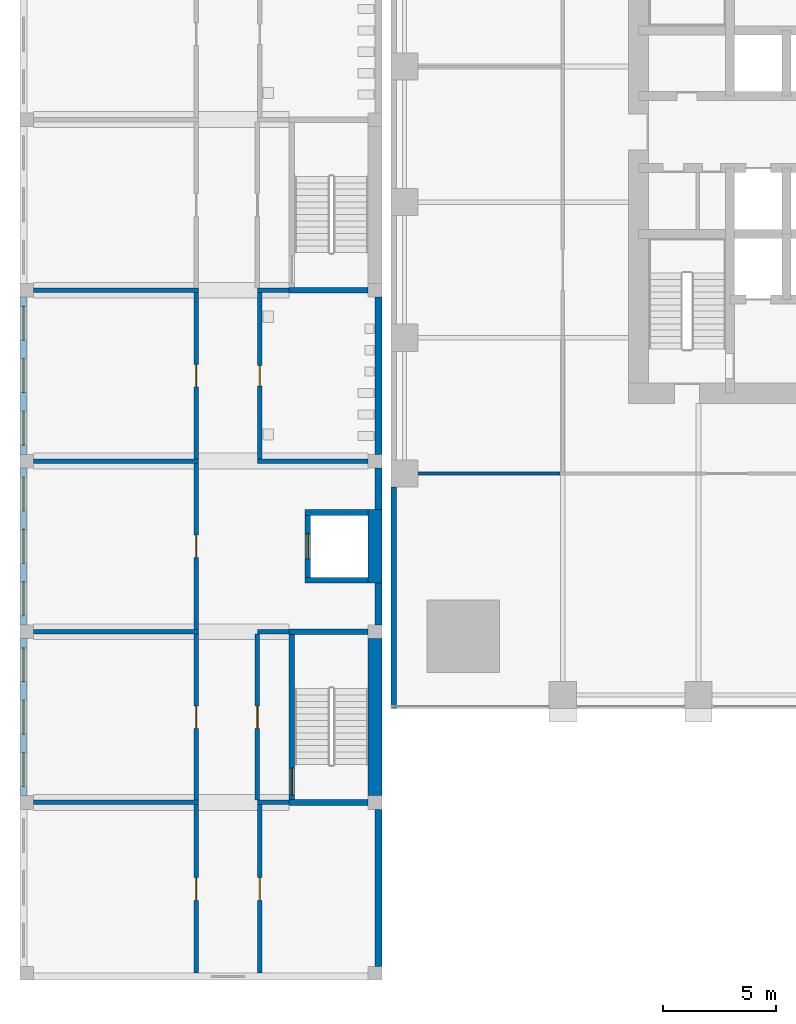
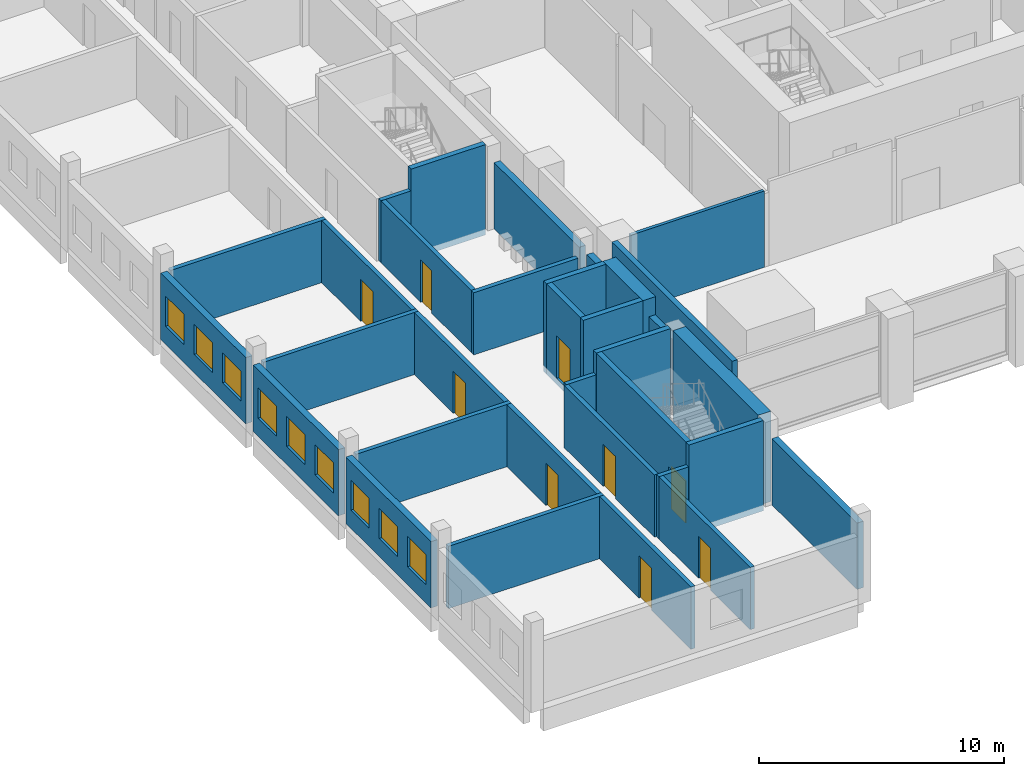
# One storey, part 10 of 25: 33 walls, 9 doors, 9 windows, 18 openings.
"""IFC4 building model written with IfcOpenShell, lengths in metres."""

from ifc_helpers import new_model, si_unit, direction, frame, frame_2d, origin, place, context, subcontext, project, spatial, rectangle, extrude, material, layer, layer_set, type_object, element, fill, save


model = new_model("IFC4")

# Units and contexts
model_context = context("Model", 3, precision=1e-05, world=origin(), true_north=direction((0.0, 1.0)))
body_context = subcontext(model_context, "Body", "Model", "MODEL_VIEW")
ifc_project = project(units=[si_unit("LENGTHUNIT", "METRE"), si_unit("AREAUNIT", "SQUARE_METRE"), si_unit("VOLUMEUNIT", "CUBIC_METRE"), si_unit("PLANEANGLEUNIT", "RADIAN"), si_unit("MASSUNIT", "GRAM", prefix="KILO")], contexts=[model_context])

# Site, building, storey
site_placement = place(None, origin())
site = spatial("IfcSite", under=ifc_project, at=site_placement, CompositionType="ELEMENT")
building_placement = place(site_placement, origin())
building = spatial("IfcBuilding", under=site, at=building_placement, Name="Amberfall Residences", CompositionType="ELEMENT")
storey_placement = place(building_placement, frame((0.0, 0.0, 10.0)))
storey = spatial("IfcBuildingStorey", under=building, at=storey_placement, Name="L02", CompositionType="ELEMENT", Elevation=10.0)

# Walls
ifc_material_1 = material(Name="Fire-rated gypsum board on steel studs", Category="steel")
ifc_layer_1 = layer(ifc_material_1, 0.14990234375)
ifc_layer_set_1 = layer_set([ifc_layer_1], Name="Partition 150 fire-rated")
wall_type_1 = type_object("IfcWallType", Name="Partition 150 fire-rated", PredefinedType="PARTITIONING", material=ifc_layer_set_1)
wall_1_placement = place(storey_placement, frame((53.199951171875, 30.39990234375, 0.0), z_axis=(0.0, 0.0, 1.0), x_axis=(1.0, 0.0, 0.0)))
element("IfcWall", 1, at=wall_1_placement, inside=storey, type_object=wall_type_1, Name="Partition 150 fire-rated L02 001", PredefinedType="PARTITIONING", context=body_context, shape_type="SweptSolid", body=[
    extrude(rectangle(XDim=6.280029296875, YDim=0.14990234375, at=frame_2d((3.14013671875, 0.0))), origin(), (0.0, 0.0, 1.0), 3.797119140625),
])
ifc_material_2 = material(Name="Precast concrete C40", Category="concrete")
ifc_layer_2 = layer(ifc_material_2, 0.25)
ifc_layer_set_2 = layer_set([ifc_layer_2], Name="Podium external wall 250")
wall_type_2 = type_object("IfcWallType", Name="Podium external wall 250", PredefinedType="SOLIDWALL", material=ifc_layer_set_2)
wall_2_placement = place(storey_placement, frame((52.125, 20.0, 0.0), z_axis=(0.0, 0.0, 1.0), x_axis=(0.0, 1.0, 0.0)))
element("IfcWall", 2, at=wall_2_placement, inside=storey, type_object=wall_type_2, Name="Podium external wall W1", PredefinedType="SOLIDWALL", context=body_context, shape_type="SweptSolid", body=[
    extrude(rectangle(XDim=9.800048828125, YDim=0.25, at=frame_2d((4.89990234375, 0.0))), origin(), (0.0, 0.0, 1.0), 4.199951171875),
])

# Wall, openings, windows
ifc_material_3 = material(Name="Aerated block wall")
ifc_layer_3 = layer(ifc_material_3, 0.300048828125)
ifc_layer_set_3 = layer_set([ifc_layer_3], Name="School external wall 300")
wall_type_3 = type_object("IfcWallType", Name="School external wall 300", PredefinedType="SOLIDWALL", material=ifc_layer_set_3)
wall_3_placement = place(storey_placement, frame((35.75, 16.14990234375, 0.0), z_axis=(0.0, 0.0, 1.0), x_axis=(0.0, 1.0, 0.0)))
wall_3 = element("IfcWall", 3, at=wall_3_placement, inside=storey, type_object=wall_type_3, Name="School external wall L02 EW1", PredefinedType="SOLIDWALL", context=body_context, shape_type="SweptSolid", body=[
    extrude(rectangle(XDim=6.9501953125, YDim=0.300048828125, at=frame_2d((3.47509765625, 0.0))), origin(), (0.0, 0.0, 1.0), 3.300048828125),
])
opening_1_placement = place(wall_3_placement, frame((0.408203125, 0.0, 0.89990234375)))
opening_1 = element("IfcOpeningElement", 4, at=opening_1_placement, cuts=wall_3, Name="Opening SWN1", PredefinedType="OPENING", context=body_context, shape_type="SweptSolid", body=[
    extrude(rectangle(XDim=1.5, YDim=1.5, at=frame_2d((0.75, 0.75))), frame((0.0, 0.159912109375, 0.0), z_axis=(0.0, -1.0, 0.0), x_axis=(1.0, 0.0, 0.0)), (0.0, 0.0, 1.0), 0.320068359375),
])
opening_2_placement = place(wall_3_placement, frame((2.72509765625, 0.0, 0.89990234375)))
opening_2 = element("IfcOpeningElement", 5, at=opening_2_placement, cuts=wall_3, Name="Opening SWN1", PredefinedType="OPENING", context=body_context, shape_type="SweptSolid", body=[
    extrude(rectangle(XDim=1.5, YDim=1.5, at=frame_2d((0.75, 0.75))), frame((0.0, 0.159912109375, 0.0), z_axis=(0.0, -1.0, 0.0), x_axis=(1.0, 0.0, 0.0)), (0.0, 0.0, 1.0), 0.320068359375),
])
opening_3_placement = place(wall_3_placement, frame((5.041748046875, 0.0, 0.89990234375)))
opening_3 = element("IfcOpeningElement", 6, at=opening_3_placement, cuts=wall_3, Name="Opening SWN1", PredefinedType="OPENING", context=body_context, shape_type="SweptSolid", body=[
    extrude(rectangle(XDim=1.5, YDim=1.5, at=frame_2d((0.75, 0.75))), frame((0.0, 0.159912109375, 0.0), z_axis=(0.0, -1.0, 0.0), x_axis=(1.0, 0.0, 0.0)), (0.0, 0.0, 1.0), 0.320068359375),
])
ifc_material_4 = material(Name="Aluminium window", Category="aluminium")
window_type = type_object("IfcWindowType", Name="School window 1500 x 1500", PartitioningType="DOUBLE_PANEL_HORIZONTAL", PredefinedType="WINDOW", material=ifc_material_4)
window_1_placement = place(opening_1_placement, origin())
window_1 = element("IfcWindow", 7, at=window_1_placement, inside=storey, type_object=window_type, Name="School window L02 EW1-1", OverallHeight=1.5, OverallWidth=1.5, PartitioningType="DOUBLE_PANEL_HORIZONTAL", PredefinedType="WINDOW", context=body_context, shape_type="SweptSolid", body=[
    extrude(rectangle(XDim=1.5, YDim=1.5, at=frame_2d((0.75, 0.75))), frame((0.0, 0.030029296875, 0.0), z_axis=(0.0, -1.0, 0.0), x_axis=(1.0, 0.0, 0.0)), (0.0, 0.0, 1.0), 0.06005859375),
])
fill(opening_1, window_1)
window_2_placement = place(opening_2_placement, origin())
window_2 = element("IfcWindow", 8, at=window_2_placement, inside=storey, type_object=window_type, Name="School window L02 EW1-2", OverallHeight=1.5, OverallWidth=1.5, PartitioningType="DOUBLE_PANEL_HORIZONTAL", PredefinedType="WINDOW", context=body_context, shape_type="SweptSolid", body=[
    extrude(rectangle(XDim=1.5, YDim=1.5, at=frame_2d((0.75, 0.75))), frame((0.0, 0.030029296875, 0.0), z_axis=(0.0, -1.0, 0.0), x_axis=(1.0, 0.0, 0.0)), (0.0, 0.0, 1.0), 0.06005859375),
])
fill(opening_2, window_2)
window_3_placement = place(opening_3_placement, origin())
window_3 = element("IfcWindow", 9, at=window_3_placement, inside=storey, type_object=window_type, Name="School window L02 EW1-3", OverallHeight=1.5, OverallWidth=1.5, PartitioningType="DOUBLE_PANEL_HORIZONTAL", PredefinedType="WINDOW", context=body_context, shape_type="SweptSolid", body=[
    extrude(rectangle(XDim=1.5, YDim=1.5, at=frame_2d((0.75, 0.75))), frame((0.0, 0.030029296875, 0.0), z_axis=(0.0, -1.0, 0.0), x_axis=(1.0, 0.0, 0.0)), (0.0, 0.0, 1.0), 0.06005859375),
])
fill(opening_3, window_3)

wall_4_placement = place(storey_placement, frame((35.75, 23.699951171875, 0.0), z_axis=(0.0, 0.0, 1.0), x_axis=(0.0, 1.0, 0.0)))
wall_4 = element("IfcWall", 10, at=wall_4_placement, inside=storey, type_object=wall_type_3, Name="School external wall L02 EW2", PredefinedType="SOLIDWALL", context=body_context, shape_type="SweptSolid", body=[
    extrude(rectangle(XDim=6.949951171875, YDim=0.300048828125, at=frame_2d((3.47509765625, 0.0))), origin(), (0.0, 0.0, 1.0), 3.300048828125),
])
opening_4_placement = place(wall_4_placement, frame((0.408203125, 0.0, 0.89990234375)))
opening_4 = element("IfcOpeningElement", 11, at=opening_4_placement, cuts=wall_4, Name="Opening SWN1", PredefinedType="OPENING", context=body_context, shape_type="SweptSolid", body=[
    extrude(rectangle(XDim=1.5, YDim=1.5, at=frame_2d((0.75, 0.75))), frame((0.0, 0.159912109375, 0.0), z_axis=(0.0, -1.0, 0.0), x_axis=(1.0, 0.0, 0.0)), (0.0, 0.0, 1.0), 0.320068359375),
])
opening_5_placement = place(wall_4_placement, frame((2.72509765625, 0.0, 0.89990234375)))
opening_5 = element("IfcOpeningElement", 12, at=opening_5_placement, cuts=wall_4, Name="Opening SWN1", PredefinedType="OPENING", context=body_context, shape_type="SweptSolid", body=[
    extrude(rectangle(XDim=1.5, YDim=1.5, at=frame_2d((0.75, 0.75))), frame((0.0, 0.159912109375, 0.0), z_axis=(0.0, -1.0, 0.0), x_axis=(1.0, 0.0, 0.0)), (0.0, 0.0, 1.0), 0.320068359375),
])
opening_6_placement = place(wall_4_placement, frame((5.041748046875, 0.0, 0.89990234375)))
opening_6 = element("IfcOpeningElement", 13, at=opening_6_placement, cuts=wall_4, Name="Opening SWN1", PredefinedType="OPENING", context=body_context, shape_type="SweptSolid", body=[
    extrude(rectangle(XDim=1.5, YDim=1.5, at=frame_2d((0.75, 0.75))), frame((0.0, 0.159912109375, 0.0), z_axis=(0.0, -1.0, 0.0), x_axis=(1.0, 0.0, 0.0)), (0.0, 0.0, 1.0), 0.320068359375),
])
window_4_placement = place(opening_4_placement, origin())
window_4 = element("IfcWindow", 14, at=window_4_placement, inside=storey, type_object=window_type, Name="School window L02 EW2-1", OverallHeight=1.5, OverallWidth=1.5, PartitioningType="DOUBLE_PANEL_HORIZONTAL", PredefinedType="WINDOW", context=body_context, shape_type="SweptSolid", body=[
    extrude(rectangle(XDim=1.5, YDim=1.5, at=frame_2d((0.75, 0.75))), frame((0.0, 0.030029296875, 0.0), z_axis=(0.0, -1.0, 0.0), x_axis=(1.0, 0.0, 0.0)), (0.0, 0.0, 1.0), 0.06005859375),
])
fill(opening_4, window_4)
window_5_placement = place(opening_5_placement, origin())
window_5 = element("IfcWindow", 15, at=window_5_placement, inside=storey, type_object=window_type, Name="School window L02 EW2-2", OverallHeight=1.5, OverallWidth=1.5, PartitioningType="DOUBLE_PANEL_HORIZONTAL", PredefinedType="WINDOW", context=body_context, shape_type="SweptSolid", body=[
    extrude(rectangle(XDim=1.5, YDim=1.5, at=frame_2d((0.75, 0.75))), frame((0.0, 0.030029296875, 0.0), z_axis=(0.0, -1.0, 0.0), x_axis=(1.0, 0.0, 0.0)), (0.0, 0.0, 1.0), 0.06005859375),
])
fill(opening_5, window_5)
window_6_placement = place(opening_6_placement, origin())
window_6 = element("IfcWindow", 16, at=window_6_placement, inside=storey, type_object=window_type, Name="School window L02 EW2-3", OverallHeight=1.5, OverallWidth=1.5, PartitioningType="DOUBLE_PANEL_HORIZONTAL", PredefinedType="WINDOW", context=body_context, shape_type="SweptSolid", body=[
    extrude(rectangle(XDim=1.5, YDim=1.5, at=frame_2d((0.75, 0.75))), frame((0.0, 0.030029296875, 0.0), z_axis=(0.0, -1.0, 0.0), x_axis=(1.0, 0.0, 0.0)), (0.0, 0.0, 1.0), 0.06005859375),
])
fill(opening_6, window_6)

wall_5_placement = place(storey_placement, frame((35.75, 31.25, 0.0), z_axis=(0.0, 0.0, 1.0), x_axis=(0.0, 1.0, 0.0)))
wall_5 = element("IfcWall", 17, at=wall_5_placement, inside=storey, type_object=wall_type_3, Name="School external wall L02 EW3", PredefinedType="SOLIDWALL", context=body_context, shape_type="SweptSolid", body=[
    extrude(rectangle(XDim=6.949951171875, YDim=0.300048828125, at=frame_2d((3.47509765625, 0.0))), origin(), (0.0, 0.0, 1.0), 3.300048828125),
])
opening_7_placement = place(wall_5_placement, frame((0.408203125, 0.0, 0.89990234375)))
opening_7 = element("IfcOpeningElement", 18, at=opening_7_placement, cuts=wall_5, Name="Opening SWN1", PredefinedType="OPENING", context=body_context, shape_type="SweptSolid", body=[
    extrude(rectangle(XDim=1.5, YDim=1.5, at=frame_2d((0.75, 0.75))), frame((0.0, 0.159912109375, 0.0), z_axis=(0.0, -1.0, 0.0), x_axis=(1.0, 0.0, 0.0)), (0.0, 0.0, 1.0), 0.320068359375),
])
opening_8_placement = place(wall_5_placement, frame((2.72509765625, 0.0, 0.89990234375)))
opening_8 = element("IfcOpeningElement", 19, at=opening_8_placement, cuts=wall_5, Name="Opening SWN1", PredefinedType="OPENING", context=body_context, shape_type="SweptSolid", body=[
    extrude(rectangle(XDim=1.5, YDim=1.5, at=frame_2d((0.75, 0.75))), frame((0.0, 0.159912109375, 0.0), z_axis=(0.0, -1.0, 0.0), x_axis=(1.0, 0.0, 0.0)), (0.0, 0.0, 1.0), 0.320068359375),
])
opening_9_placement = place(wall_5_placement, frame((5.041748046875, 0.0, 0.89990234375)))
opening_9 = element("IfcOpeningElement", 20, at=opening_9_placement, cuts=wall_5, Name="Opening SWN1", PredefinedType="OPENING", context=body_context, shape_type="SweptSolid", body=[
    extrude(rectangle(XDim=1.5, YDim=1.5, at=frame_2d((0.75, 0.75))), frame((0.0, 0.159912109375, 0.0), z_axis=(0.0, -1.0, 0.0), x_axis=(1.0, 0.0, 0.0)), (0.0, 0.0, 1.0), 0.320068359375),
])
window_7_placement = place(opening_7_placement, origin())
window_7 = element("IfcWindow", 21, at=window_7_placement, inside=storey, type_object=window_type, Name="School window L02 EW3-1", OverallHeight=1.5, OverallWidth=1.5, PartitioningType="DOUBLE_PANEL_HORIZONTAL", PredefinedType="WINDOW", context=body_context, shape_type="SweptSolid", body=[
    extrude(rectangle(XDim=1.5, YDim=1.5, at=frame_2d((0.75, 0.75))), frame((0.0, 0.030029296875, 0.0), z_axis=(0.0, -1.0, 0.0), x_axis=(1.0, 0.0, 0.0)), (0.0, 0.0, 1.0), 0.06005859375),
])
fill(opening_7, window_7)
window_8_placement = place(opening_8_placement, origin())
window_8 = element("IfcWindow", 22, at=window_8_placement, inside=storey, type_object=window_type, Name="School window L02 EW3-2", OverallHeight=1.5, OverallWidth=1.5, PartitioningType="DOUBLE_PANEL_HORIZONTAL", PredefinedType="WINDOW", context=body_context, shape_type="SweptSolid", body=[
    extrude(rectangle(XDim=1.5, YDim=1.5, at=frame_2d((0.75, 0.75))), frame((0.0, 0.030029296875, 0.0), z_axis=(0.0, -1.0, 0.0), x_axis=(1.0, 0.0, 0.0)), (0.0, 0.0, 1.0), 0.06005859375),
])
fill(opening_8, window_8)
window_9_placement = place(opening_9_placement, origin())
window_9 = element("IfcWindow", 23, at=window_9_placement, inside=storey, type_object=window_type, Name="School window L02 EW3-3", OverallHeight=1.5, OverallWidth=1.5, PartitioningType="DOUBLE_PANEL_HORIZONTAL", PredefinedType="WINDOW", context=body_context, shape_type="SweptSolid", body=[
    extrude(rectangle(XDim=1.5, YDim=1.5, at=frame_2d((0.75, 0.75))), frame((0.0, 0.030029296875, 0.0), z_axis=(0.0, -1.0, 0.0), x_axis=(1.0, 0.0, 0.0)), (0.0, 0.0, 1.0), 0.06005859375),
])
fill(opening_9, window_9)

# Walls
for number, where, z_axis, x_axis, name in (
    (24, (51.449951171875, 8.60009765625, 0.0), (0.0, 0.0, 1.0), (0.0, 1.0, 0.0), "School external wall L02 ET0"),
    (25, (51.449951171875, 31.25, 0.0), (0.0, 0.0, 1.0), (0.0, 1.0, 0.0), "School external wall L02 ET3"),
):
    element("IfcWall", number, at=place(storey_placement, frame(where, z_axis=z_axis, x_axis=x_axis)), inside=storey, type_object=wall_type_3, Name=name, PredefinedType="SOLIDWALL", context=body_context, shape_type="SweptSolid", body=[
        extrude(rectangle(XDim=6.949951171875, YDim=0.300048828125, at=frame_2d((3.47509765625, 0.0))), origin(), (0.0, 0.0, 1.0), 3.300048828125),
    ])
wall_6_placement = place(storey_placement, frame((51.449951171875, 23.699951171875, 0.0), z_axis=(0.0, 0.0, 1.0), x_axis=(0.0, 1.0, 0.0)))
element("IfcWall", 26, at=wall_6_placement, inside=storey, type_object=wall_type_3, Name="School external wall L02 ET2a", PredefinedType="SOLIDWALL", context=body_context, shape_type="SweptSolid", body=[
    extrude(rectangle(XDim=1.85009765625, YDim=0.300048828125, at=frame_2d((0.925048828125, 0.0))), origin(), (0.0, 0.0, 1.0), 3.300048828125),
])
wall_7_placement = place(storey_placement, frame((51.449951171875, 28.800048828125, 0.0), z_axis=(0.0, 0.0, 1.0), x_axis=(0.0, 1.0, 0.0)))
element("IfcWall", 27, at=wall_7_placement, inside=storey, type_object=wall_type_3, Name="School external wall L02 ET2b", PredefinedType="SOLIDWALL", context=body_context, shape_type="SweptSolid", body=[
    extrude(rectangle(XDim=1.849853515625, YDim=0.300048828125, at=frame_2d((0.9248046875, 0.0))), origin(), (0.0, 0.0, 1.0), 3.300048828125),
])

# Wall, opening, door
ifc_layer_4 = layer(ifc_material_3, 0.199951171875)
ifc_layer_set_4 = layer_set([ifc_layer_4], Name="School partition 200")
wall_type_4 = type_object("IfcWallType", Name="School partition 200", PredefinedType="PARTITIONING", material=ifc_layer_set_4)
wall_8_placement = place(storey_placement, frame((43.39990234375, 8.300048828125, 0.0), z_axis=(0.0, 0.0, 1.0), x_axis=(0.0, 1.0, 0.0)))
wall_8 = element("IfcWall", 28, at=wall_8_placement, inside=storey, type_object=wall_type_4, Name="School partition L02 CWW0", PredefinedType="PARTITIONING", context=body_context, shape_type="SweptSolid", body=[
    extrude(rectangle(XDim=7.449951171875, YDim=0.199951171875, at=frame_2d((3.72509765625, 0.0))), origin(), (0.0, 0.0, 1.0), 3.10009765625),
])
opening_10_placement = place(wall_8_placement, frame((3.22509765625, 0.0, 0.0)))
opening_10 = element("IfcOpeningElement", 29, at=opening_10_placement, cuts=wall_8, Name="Opening SD5", PredefinedType="OPENING", context=body_context, shape_type="SweptSolid", body=[
    extrude(rectangle(XDim=1.0, YDim=2.10009765625, at=frame_2d((0.5, 1.050048828125))), frame((0.0, 0.10986328125, 0.0), z_axis=(0.0, -1.0, 0.0), x_axis=(1.0, 0.0, 0.0)), (0.0, 0.0, 1.0), 0.219970703125),
])
ifc_material_5 = material(Name="Timber door", Category="wood")
door_type_1 = type_object("IfcDoorType", Name="School classroom door 1000 x 2100", OperationType="SINGLE_SWING_LEFT", PredefinedType="DOOR", material=ifc_material_5)
door_1_placement = place(opening_10_placement, origin())
door_1 = element("IfcDoor", 30, at=door_1_placement, inside=storey, type_object=door_type_1, Name="School door L02 CWW0-1", OperationType="SINGLE_SWING_LEFT", OverallHeight=2.10009765625, OverallWidth=1.0, PredefinedType="DOOR", context=body_context, shape_type="SweptSolid", body=[
    extrude(rectangle(XDim=1.0, YDim=2.10009765625, at=frame_2d((0.5, 1.050048828125))), frame((0.0, 0.02490234375, 0.0), z_axis=(0.0, -1.0, 0.0), x_axis=(1.0, 0.0, 0.0)), (0.0, 0.0, 1.0), 0.050048828125),
])
fill(opening_10, door_1)

wall_9_placement = place(storey_placement, frame((43.39990234375, 15.949951171875, 0.0), z_axis=(0.0, 0.0, 1.0), x_axis=(0.0, 1.0, 0.0)))
wall_9 = element("IfcWall", 31, at=wall_9_placement, inside=storey, type_object=wall_type_4, Name="School partition L02 CWW1", PredefinedType="PARTITIONING", context=body_context, shape_type="SweptSolid", body=[
    extrude(rectangle(XDim=7.35009765625, YDim=0.199951171875, at=frame_2d((3.675048828125, 0.0))), origin(), (0.0, 0.0, 1.0), 3.10009765625),
])
opening_11_placement = place(wall_9_placement, frame((3.175048828125, 0.0, 0.0)))
opening_11 = element("IfcOpeningElement", 32, at=opening_11_placement, cuts=wall_9, Name="Opening SD5", PredefinedType="OPENING", context=body_context, shape_type="SweptSolid", body=[
    extrude(rectangle(XDim=1.0, YDim=2.10009765625, at=frame_2d((0.5, 1.050048828125))), frame((0.0, 0.10986328125, 0.0), z_axis=(0.0, -1.0, 0.0), x_axis=(1.0, 0.0, 0.0)), (0.0, 0.0, 1.0), 0.219970703125),
])
door_2_placement = place(opening_11_placement, origin())
door_2 = element("IfcDoor", 33, at=door_2_placement, inside=storey, type_object=door_type_1, Name="School door L02 CWW1-1", OperationType="SINGLE_SWING_LEFT", OverallHeight=2.10009765625, OverallWidth=1.0, PredefinedType="DOOR", context=body_context, shape_type="SweptSolid", body=[
    extrude(rectangle(XDim=1.0, YDim=2.10009765625, at=frame_2d((0.5, 1.050048828125))), frame((0.0, 0.02490234375, 0.0), z_axis=(0.0, -1.0, 0.0), x_axis=(1.0, 0.0, 0.0)), (0.0, 0.0, 1.0), 0.050048828125),
])
fill(opening_11, door_2)

wall_10_placement = place(storey_placement, frame((43.39990234375, 23.5, 0.0), z_axis=(0.0, 0.0, 1.0), x_axis=(0.0, 1.0, 0.0)))
wall_10 = element("IfcWall", 34, at=wall_10_placement, inside=storey, type_object=wall_type_4, Name="School partition L02 CWW2", PredefinedType="PARTITIONING", context=body_context, shape_type="SweptSolid", body=[
    extrude(rectangle(XDim=7.35009765625, YDim=0.199951171875, at=frame_2d((3.675048828125, 0.0))), origin(), (0.0, 0.0, 1.0), 3.10009765625),
])
opening_12_placement = place(wall_10_placement, frame((3.175048828125, 0.0, 0.0)))
opening_12 = element("IfcOpeningElement", 35, at=opening_12_placement, cuts=wall_10, Name="Opening SD5", PredefinedType="OPENING", context=body_context, shape_type="SweptSolid", body=[
    extrude(rectangle(XDim=1.0, YDim=2.10009765625, at=frame_2d((0.5, 1.050048828125))), frame((0.0, 0.10986328125, 0.0), z_axis=(0.0, -1.0, 0.0), x_axis=(1.0, 0.0, 0.0)), (0.0, 0.0, 1.0), 0.219970703125),
])
door_3_placement = place(opening_12_placement, origin())
door_3 = element("IfcDoor", 36, at=door_3_placement, inside=storey, type_object=door_type_1, Name="School door L02 CWW2-1", OperationType="SINGLE_SWING_LEFT", OverallHeight=2.10009765625, OverallWidth=1.0, PredefinedType="DOOR", context=body_context, shape_type="SweptSolid", body=[
    extrude(rectangle(XDim=1.0, YDim=2.10009765625, at=frame_2d((0.5, 1.050048828125))), frame((0.0, 0.02490234375, 0.0), z_axis=(0.0, -1.0, 0.0), x_axis=(1.0, 0.0, 0.0)), (0.0, 0.0, 1.0), 0.050048828125),
])
fill(opening_12, door_3)

wall_11_placement = place(storey_placement, frame((43.39990234375, 31.050048828125, 0.0), z_axis=(0.0, 0.0, 1.0), x_axis=(0.0, 1.0, 0.0)))
wall_11 = element("IfcWall", 37, at=wall_11_placement, inside=storey, type_object=wall_type_4, Name="School partition L02 CWW3", PredefinedType="PARTITIONING", context=body_context, shape_type="SweptSolid", body=[
    extrude(rectangle(XDim=7.349853515625, YDim=0.199951171875, at=frame_2d((3.6748046875, 0.0))), origin(), (0.0, 0.0, 1.0), 3.10009765625),
])
opening_13_placement = place(wall_11_placement, frame((3.175048828125, 0.0, 0.0)))
opening_13 = element("IfcOpeningElement", 38, at=opening_13_placement, cuts=wall_11, Name="Opening SD5", PredefinedType="OPENING", context=body_context, shape_type="SweptSolid", body=[
    extrude(rectangle(XDim=1.0, YDim=2.10009765625, at=frame_2d((0.5, 1.050048828125))), frame((0.0, 0.10986328125, 0.0), z_axis=(0.0, -1.0, 0.0), x_axis=(1.0, 0.0, 0.0)), (0.0, 0.0, 1.0), 0.219970703125),
])
door_4_placement = place(opening_13_placement, origin())
door_4 = element("IfcDoor", 39, at=door_4_placement, inside=storey, type_object=door_type_1, Name="School door L02 CWW3-1", OperationType="SINGLE_SWING_LEFT", OverallHeight=2.10009765625, OverallWidth=1.0, PredefinedType="DOOR", context=body_context, shape_type="SweptSolid", body=[
    extrude(rectangle(XDim=1.0, YDim=2.10009765625, at=frame_2d((0.5, 1.050048828125))), frame((0.0, 0.02490234375, 0.0), z_axis=(0.0, -1.0, 0.0), x_axis=(1.0, 0.0, 0.0)), (0.0, 0.0, 1.0), 0.050048828125),
])
fill(opening_13, door_4)

# Walls
for number, where, z_axis, x_axis, name in (
    (40, (36.199951171875, 15.85009765625, 0.0), (0.0, 0.0, 1.0), (1.0, 0.0, 0.0), "School partition L02 PW1585"),
    (41, (36.199951171875, 23.39990234375, 0.0), (0.0, 0.0, 1.0), (1.0, 0.0, 0.0), "School partition L02 PW2340"),
    (42, (36.199951171875, 30.949951171875, 0.0), (0.0, 0.0, 1.0), (1.0, 0.0, 0.0), "School partition L02 PW3095"),
    (43, (36.199951171875, 38.5, 0.0), (0.0, 0.0, 1.0), (1.0, 0.0, 0.0), "School partition L02 PW3850"),
):
    element("IfcWall", number, at=place(storey_placement, frame(where, z_axis=z_axis, x_axis=x_axis)), inside=storey, type_object=wall_type_4, Name=name, PredefinedType="PARTITIONING", context=body_context, shape_type="SweptSolid", body=[
        extrude(rectangle(XDim=7.300048828125, YDim=0.199951171875, at=frame_2d((3.64990234375, 0.0))), origin(), (0.0, 0.0, 1.0), 3.10009765625),
    ])

# Wall, opening, door
wall_12_placement = place(storey_placement, frame((46.199951171875, 8.300048828125, 0.0), z_axis=(0.0, 0.0, 1.0), x_axis=(0.0, 1.0, 0.0)))
wall_12 = element("IfcWall", 44, at=wall_12_placement, inside=storey, type_object=wall_type_4, Name="School partition L02 CWE08", PredefinedType="PARTITIONING", context=body_context, shape_type="SweptSolid", body=[
    extrude(rectangle(XDim=7.449951171875, YDim=0.199951171875, at=frame_2d((3.72509765625, 0.0))), origin(), (0.0, 0.0, 1.0), 3.10009765625),
])
opening_14_placement = place(wall_12_placement, frame((3.22509765625, 0.0, 0.0)))
opening_14 = element("IfcOpeningElement", 45, at=opening_14_placement, cuts=wall_12, Name="Opening SD5", PredefinedType="OPENING", context=body_context, shape_type="SweptSolid", body=[
    extrude(rectangle(XDim=1.0, YDim=2.10009765625, at=frame_2d((0.5, 1.050048828125))), frame((0.0, 0.10986328125, 0.0), z_axis=(0.0, -1.0, 0.0), x_axis=(1.0, 0.0, 0.0)), (0.0, 0.0, 1.0), 0.219970703125),
])
door_5_placement = place(opening_14_placement, origin())
door_5 = element("IfcDoor", 46, at=door_5_placement, inside=storey, type_object=door_type_1, Name="School door L02 CWE08-1", OperationType="SINGLE_SWING_LEFT", OverallHeight=2.10009765625, OverallWidth=1.0, PredefinedType="DOOR", context=body_context, shape_type="SweptSolid", body=[
    extrude(rectangle(XDim=1.0, YDim=2.10009765625, at=frame_2d((0.5, 1.050048828125))), frame((0.0, 0.02490234375, 0.0), z_axis=(0.0, -1.0, 0.0), x_axis=(1.0, 0.0, 0.0)), (0.0, 0.0, 1.0), 0.050048828125),
])
fill(opening_14, door_5)

wall_13_placement = place(storey_placement, frame((46.199951171875, 31.050048828125, 0.0), z_axis=(0.0, 0.0, 1.0), x_axis=(0.0, 1.0, 0.0)))
wall_13 = element("IfcWall", 47, at=wall_13_placement, inside=storey, type_object=wall_type_4, Name="School partition L02 CWE331", PredefinedType="PARTITIONING", context=body_context, shape_type="SweptSolid", body=[
    extrude(rectangle(XDim=7.349853515625, YDim=0.199951171875, at=frame_2d((3.6748046875, 0.0))), origin(), (0.0, 0.0, 1.0), 3.10009765625),
])
opening_15_placement = place(wall_13_placement, frame((3.22509765625, 0.0, 0.0)))
opening_15 = element("IfcOpeningElement", 48, at=opening_15_placement, cuts=wall_13, Name="Opening SD2", PredefinedType="OPENING", context=body_context, shape_type="SweptSolid", body=[
    extrude(rectangle(XDim=0.89990234375, YDim=2.10009765625, at=frame_2d((0.449951171875, 1.050048828125))), frame((0.0, 0.10986328125, 0.0), z_axis=(0.0, -1.0, 0.0), x_axis=(1.0, 0.0, 0.0)), (0.0, 0.0, 1.0), 0.219970703125),
])
door_type_2 = type_object("IfcDoorType", Name="School WC door 900 x 2100", OperationType="SINGLE_SWING_LEFT", PredefinedType="DOOR", material=ifc_material_5)
door_6_placement = place(opening_15_placement, origin())
door_6 = element("IfcDoor", 49, at=door_6_placement, inside=storey, type_object=door_type_2, Name="School door L02 CWE331-1", OperationType="SINGLE_SWING_LEFT", OverallHeight=2.10009765625, OverallWidth=0.89990234375, PredefinedType="DOOR", context=body_context, shape_type="SweptSolid", body=[
    extrude(rectangle(XDim=0.89990234375, YDim=2.10009765625, at=frame_2d((0.449951171875, 1.050048828125))), frame((0.0, 0.02490234375, 0.0), z_axis=(0.0, -1.0, 0.0), x_axis=(1.0, 0.0, 0.0)), (0.0, 0.0, 1.0), 0.050048828125),
])
fill(opening_15, door_6)

# Walls
for number, where, z_axis, x_axis, name in (
    (50, (46.10009765625, 15.85009765625, 0.0), (0.0, 0.0, 1.0), (1.0, 0.0, 0.0), "School partition L02 PEA1"),
    (51, (46.10009765625, 23.39990234375, 0.0), (0.0, 0.0, 1.0), (1.0, 0.0, 0.0), "School partition L02 PEA2"),
):
    element("IfcWall", number, at=place(storey_placement, frame(where, z_axis=z_axis, x_axis=x_axis)), inside=storey, type_object=wall_type_4, Name=name, PredefinedType="PARTITIONING", context=body_context, shape_type="SweptSolid", body=[
        extrude(rectangle(XDim=1.39990234375, YDim=0.199951171875, at=frame_2d((0.699951171875, 0.0))), origin(), (0.0, 0.0, 1.0), 3.10009765625),
    ])
wall_14_placement = place(storey_placement, frame((46.10009765625, 30.949951171875, 0.0), z_axis=(0.0, 0.0, 1.0), x_axis=(1.0, 0.0, 0.0)))
element("IfcWall", 52, at=wall_14_placement, inside=storey, type_object=wall_type_4, Name="School partition L02 PE3", PredefinedType="PARTITIONING", context=body_context, shape_type="SweptSolid", body=[
    extrude(rectangle(XDim=4.89990234375, YDim=0.199951171875, at=frame_2d((2.449951171875, 0.0))), origin(), (0.0, 0.0, 1.0), 3.10009765625),
])
wall_15_placement = place(storey_placement, frame((46.10009765625, 38.5, 0.0), z_axis=(0.0, 0.0, 1.0), x_axis=(1.0, 0.0, 0.0)))
element("IfcWall", 53, at=wall_15_placement, inside=storey, type_object=wall_type_4, Name="School partition L02 PEA4", PredefinedType="PARTITIONING", context=body_context, shape_type="SweptSolid", body=[
    extrude(rectangle(XDim=1.39990234375, YDim=0.199951171875, at=frame_2d((0.699951171875, 0.0))), origin(), (0.0, 0.0, 1.0), 3.10009765625),
])

# Wall, opening, door
wall_16_placement = place(storey_placement, frame((46.10009765625, 15.949951171875, 0.0), z_axis=(0.0, 0.0, 1.0), x_axis=(0.0, 1.0, 0.0)))
wall_16 = element("IfcWall", 54, at=wall_16_placement, inside=storey, type_object=wall_type_4, Name="School partition L02 CWLSS1", PredefinedType="PARTITIONING", context=body_context, shape_type="SweptSolid", body=[
    extrude(rectangle(XDim=7.35009765625, YDim=0.199951171875, at=frame_2d((3.675048828125, 0.0))), origin(), (0.0, 0.0, 1.0), 3.10009765625),
])
opening_16_placement = place(wall_16_placement, frame((3.175048828125, 0.0, 0.0)))
opening_16 = element("IfcOpeningElement", 55, at=opening_16_placement, cuts=wall_16, Name="Opening SD8", PredefinedType="OPENING", context=body_context, shape_type="SweptSolid", body=[
    extrude(rectangle(XDim=1.0, YDim=2.10009765625, at=frame_2d((0.5, 1.050048828125))), frame((0.0, 0.10986328125, 0.0), z_axis=(0.0, -1.0, 0.0), x_axis=(1.0, 0.0, 0.0)), (0.0, 0.0, 1.0), 0.219970703125),
])
door_type_3 = type_object("IfcDoorType", Name="School lobby door 1000 x 2100", OperationType="SINGLE_SWING_LEFT", PredefinedType="DOOR", material=ifc_material_5)
door_7_placement = place(opening_16_placement, origin())
door_7 = element("IfcDoor", 56, at=door_7_placement, inside=storey, type_object=door_type_3, Name="School door L02 CWLSS1-1", OperationType="SINGLE_SWING_LEFT", OverallHeight=2.10009765625, OverallWidth=1.0, PredefinedType="DOOR", context=body_context, shape_type="SweptSolid", body=[
    extrude(rectangle(XDim=1.0, YDim=2.10009765625, at=frame_2d((0.5, 1.050048828125))), frame((0.0, 0.02490234375, 0.0), z_axis=(0.0, -1.0, 0.0), x_axis=(1.0, 0.0, 0.0)), (0.0, 0.0, 1.0), 0.050048828125),
])
fill(opening_16, door_7)

ifc_material_6 = material(Name="Concrete C50", Category="concrete")
ifc_layer_5 = layer(ifc_material_6, 0.25)
ifc_layer_set_5 = layer_set([ifc_layer_5], Name="School stair core wall 250 C50")
wall_type_5 = type_object("IfcWallType", Name="School stair core wall 250 C50", PredefinedType="SHEAR", material=ifc_layer_set_5)
wall_17_placement = place(storey_placement, frame((47.625, 15.97509765625, -0.300048828125), z_axis=(0.0, 0.0, 1.0), x_axis=(0.0, 1.0, 0.0)))
wall_17 = element("IfcWall", 57, at=wall_17_placement, inside=storey, type_object=wall_type_5, Name="School core wall L02 SS1W", PredefinedType="SHEAR", context=body_context, shape_type="SweptSolid", body=[
    extrude(rectangle(XDim=7.2998046875, YDim=0.25, at=frame_2d((3.64990234375, 0.0))), origin(), (0.0, 0.0, 1.0), 4.5),
])
opening_17_placement = place(wall_17_placement, frame((0.199951171875, 0.0, 0.300048828125)))
opening_17 = element("IfcOpeningElement", 58, at=opening_17_placement, cuts=wall_17, Name="Opening SD4", PredefinedType="OPENING", context=body_context, shape_type="SweptSolid", body=[
    extrude(rectangle(XDim=1.199951171875, YDim=2.10009765625, at=frame_2d((0.60009765625, 1.050048828125))), frame((0.0, 0.135009765625, 0.0), z_axis=(0.0, -1.0, 0.0), x_axis=(1.0, 0.0, 0.0)), (0.0, 0.0, 1.0), 0.27001953125),
])
ifc_material_7 = material(Name="Steel fire door", Category="steel")
door_type_4 = type_object("IfcDoorType", Name="School stair door 1200 x 2100 FD120", OperationType="SINGLE_SWING_LEFT", PredefinedType="DOOR", material=ifc_material_7)
door_8_placement = place(opening_17_placement, origin())
door_8 = element("IfcDoor", 59, at=door_8_placement, inside=storey, type_object=door_type_4, Name="School stair door L02 SS1", OperationType="SINGLE_SWING_LEFT", OverallHeight=2.10009765625, OverallWidth=1.199951171875, PredefinedType="DOOR", context=body_context, shape_type="SweptSolid", body=[
    extrude(rectangle(XDim=1.199951171875, YDim=2.10009765625, at=frame_2d((0.60009765625, 1.050048828125))), frame((0.0, 0.02490234375, 0.0), z_axis=(0.0, -1.0, 0.0), x_axis=(1.0, 0.0, 0.0)), (0.0, 0.0, 1.0), 0.050048828125),
])
fill(opening_17, door_8)

# Walls
for number, where, z_axis, x_axis, name in (
    (60, (47.5, 15.85009765625, -0.300048828125), (0.0, 0.0, 1.0), (1.0, 0.0, 0.0), "School core wall L02 SS1S"),
    (61, (47.5, 23.39990234375, -0.300048828125), (0.0, 0.0, 1.0), (1.0, 0.0, 0.0), "School core wall L02 SS1N"),
    (62, (47.5, 38.5, -0.300048828125), (0.0, 0.0, 1.0), (1.0, 0.0, 0.0), "School core wall L02 SS2S"),
):
    element("IfcWall", number, at=place(storey_placement, frame(where, z_axis=z_axis, x_axis=x_axis)), inside=storey, type_object=wall_type_5, Name=name, PredefinedType="SHEAR", context=body_context, shape_type="SweptSolid", body=[
        extrude(rectangle(XDim=3.5, YDim=0.25, at=frame_2d((1.75, 0.0))), origin(), (0.0, 0.0, 1.0), 4.5),
    ])

# Wall, opening, door
wall_18_placement = place(storey_placement, frame((48.324951171875, 25.675048828125, -0.300048828125), z_axis=(0.0, 0.0, 1.0), x_axis=(0.0, 1.0, 0.0)))
wall_18 = element("IfcWall", 63, at=wall_18_placement, inside=storey, type_object=wall_type_5, Name="School core wall L02 LFW", PredefinedType="SHEAR", context=body_context, shape_type="SweptSolid", body=[
    extrude(rectangle(XDim=3.0, YDim=0.25, at=frame_2d((1.5, 0.0))), origin(), (0.0, 0.0, 1.0), 4.5),
])
opening_18_placement = place(wall_18_placement, frame((0.949951171875, 0.0, 0.300048828125)))
opening_18 = element("IfcOpeningElement", 64, at=opening_18_placement, cuts=wall_18, Name="Opening SLD1", PredefinedType="OPENING", context=body_context, shape_type="SweptSolid", body=[
    extrude(rectangle(XDim=1.10009765625, YDim=2.10009765625, at=frame_2d((0.550048828125, 1.050048828125))), frame((0.0, 0.135009765625, 0.0), z_axis=(0.0, -1.0, 0.0), x_axis=(1.0, 0.0, 0.0)), (0.0, 0.0, 1.0), 0.27001953125),
])
ifc_material_8 = material(Name="Stainless steel door", Category="steel")
door_type_5 = type_object("IfcDoorType", Name="School lift landing door 1100 x 2100", OperationType="SLIDING_TO_LEFT", PredefinedType="DOOR", material=ifc_material_8)
door_9_placement = place(opening_18_placement, origin())
door_9 = element("IfcDoor", 65, at=door_9_placement, inside=storey, type_object=door_type_5, Name="Landing door L02 LS1", OperationType="SLIDING_TO_LEFT", OverallHeight=2.10009765625, OverallWidth=1.10009765625, PredefinedType="DOOR", context=body_context, shape_type="SweptSolid", body=[
    extrude(rectangle(XDim=1.10009765625, YDim=2.10009765625, at=frame_2d((0.550048828125, 1.050048828125))), frame((0.0, 0.02490234375, 0.0), z_axis=(0.0, -1.0, 0.0), x_axis=(1.0, 0.0, 0.0)), (0.0, 0.0, 1.0), 0.050048828125),
])
fill(opening_18, door_9)

# Walls
for number, where, z_axis, x_axis, name in (
    (66, (48.199951171875, 25.675048828125, -0.300048828125), (0.0, 0.0, 1.0), (1.0, 0.0, 0.0), "School core wall L02 LFS"),
    (67, (48.199951171875, 28.675048828125, -0.300048828125), (0.0, 0.0, 1.0), (1.0, 0.0, 0.0), "School core wall L02 LFN"),
):
    element("IfcWall", number, at=place(storey_placement, frame(where, z_axis=z_axis, x_axis=x_axis)), inside=storey, type_object=wall_type_5, Name=name, PredefinedType="SHEAR", context=body_context, shape_type="SweptSolid", body=[
        extrude(rectangle(XDim=2.800048828125, YDim=0.25, at=frame_2d((1.39990234375, 0.0))), origin(), (0.0, 0.0, 1.0), 4.5),
    ])
ifc_layer_6 = layer(ifc_material_6, 0.60009765625)
ifc_layer_set_6 = layer_set([ifc_layer_6], Name="School tower-side core wall 600 C50")
wall_type_6 = type_object("IfcWallType", Name="School tower-side core wall 600 C50", PredefinedType="SHEAR", material=ifc_layer_set_6)
wall_19_placement = place(storey_placement, frame((51.300048828125, 16.14990234375, -0.300048828125), z_axis=(0.0, 0.0, 1.0), x_axis=(0.0, 1.0, 0.0)))
element("IfcWall", 68, at=wall_19_placement, inside=storey, type_object=wall_type_6, Name="School core wall L02 SS1E", PredefinedType="SHEAR", context=body_context, shape_type="SweptSolid", body=[
    extrude(rectangle(XDim=6.9501953125, YDim=0.60009765625, at=frame_2d((3.47509765625, 0.0))), origin(), (0.0, 0.0, 1.0), 4.5),
])
wall_20_placement = place(storey_placement, frame((51.300048828125, 25.550048828125, -0.300048828125), z_axis=(0.0, 0.0, 1.0), x_axis=(0.0, 1.0, 0.0)))
element("IfcWall", 69, at=wall_20_placement, inside=storey, type_object=wall_type_6, Name="School core wall L02 LFE", PredefinedType="SHEAR", context=body_context, shape_type="SweptSolid", body=[
    extrude(rectangle(XDim=3.25, YDim=0.60009765625, at=frame_2d((1.625, 0.0))), origin(), (0.0, 0.0, 1.0), 4.5),
])

save(model, "model.ifc")
